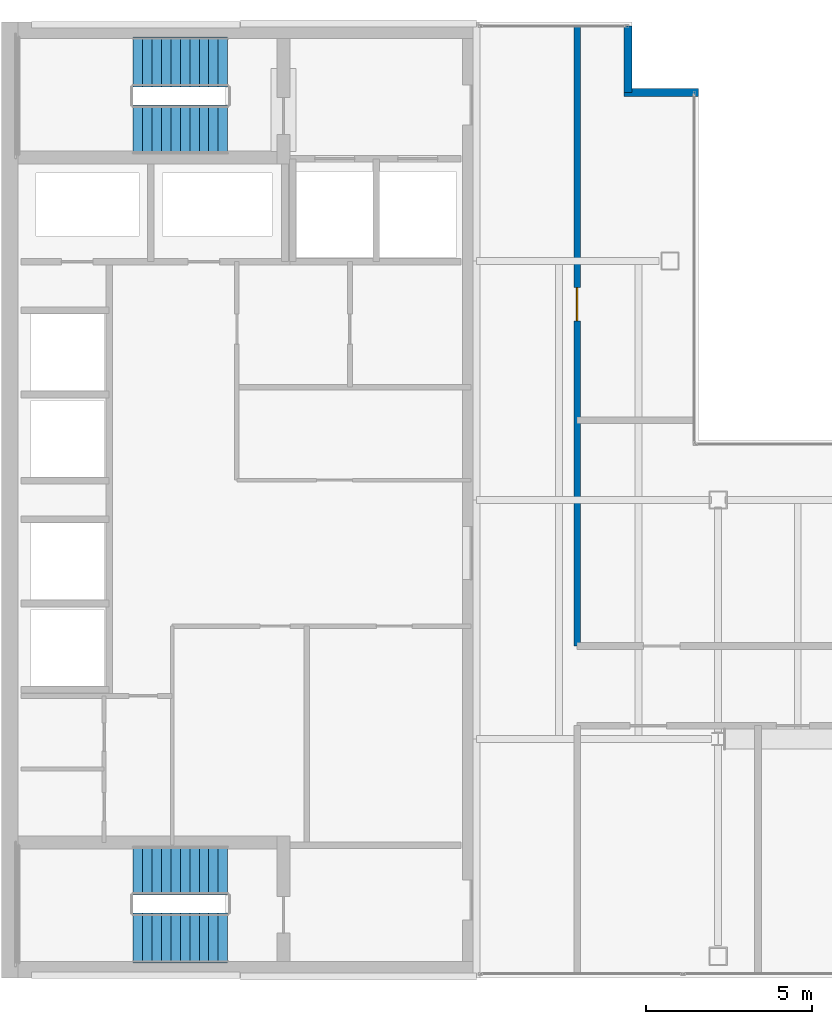
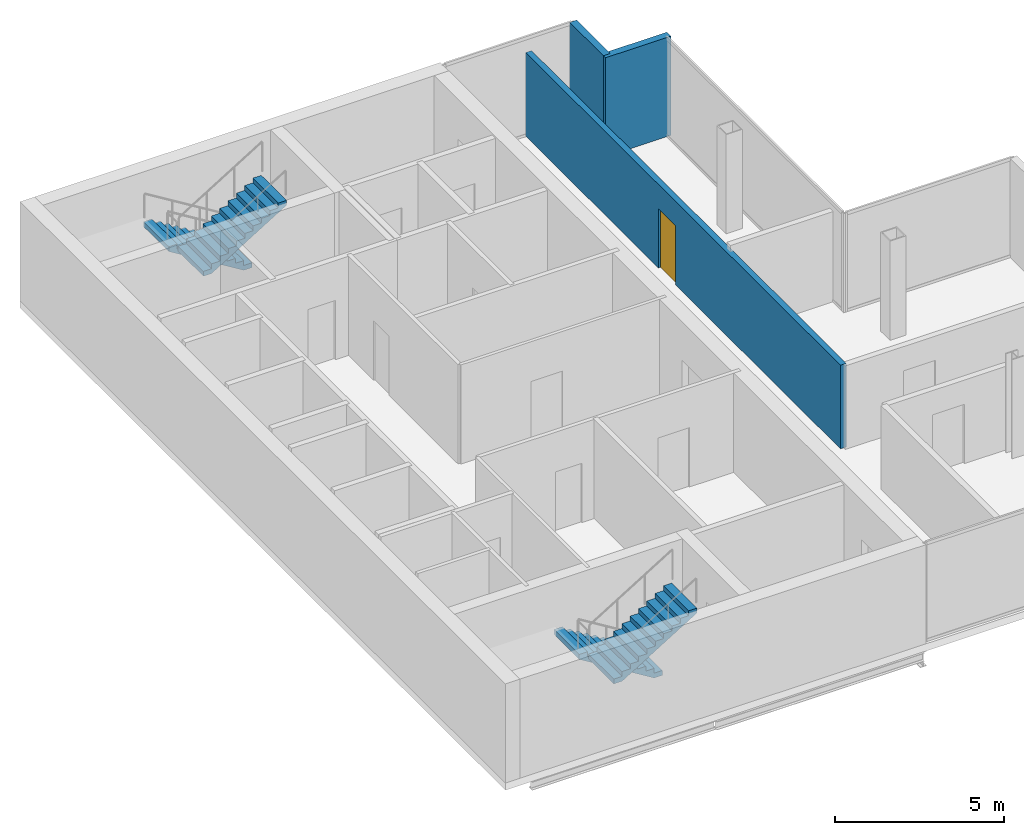
# One storey, part 15 of 16: 4 stair flights, 3 walls, 1 door, 1 opening, 2 elements without a shape of their own.
"""IFC4 building model written with IfcOpenShell, lengths in metres."""

from ifc_helpers import new_model, si_unit, direction, frame, frame_2d, origin, place, context, subcontext, project, spatial, polyline, rectangle, outline, extrude, material, layer, layer_set, type_object, element, fill, aggregate, save


model = new_model("IFC4")

# Units and contexts
model_context = context("Model", 3, precision=1e-05, world=origin(), true_north=direction((0.0, 1.0)))
body_context = subcontext(model_context, "Body", "Model", "MODEL_VIEW")
ifc_project = project(units=[si_unit("LENGTHUNIT", "METRE"), si_unit("AREAUNIT", "SQUARE_METRE"), si_unit("VOLUMEUNIT", "CUBIC_METRE"), si_unit("PLANEANGLEUNIT", "RADIAN"), si_unit("MASSUNIT", "GRAM", prefix="KILO")], contexts=[model_context])

# Site, building, storey
site_placement = place(None, origin())
site = spatial("IfcSite", under=ifc_project, at=site_placement, CompositionType="ELEMENT")
building_placement = place(site_placement, origin())
building = spatial("IfcBuilding", under=site, at=building_placement, Name="Cobrela Telecom Tower", CompositionType="ELEMENT")
storey_placement = place(building_placement, frame((0.0, 0.0, 293.64990234375)))
storey = spatial("IfcBuildingStorey", under=building, at=storey_placement, Name="L77", CompositionType="ELEMENT", Elevation=293.64990234375)

# Walls
ifc_material_1 = material(Name="Concrete C40/50", Category="concrete")
ifc_layer_1 = layer(ifc_material_1, 0.239990234375)
ifc_layer_set_1 = layer_set([ifc_layer_1], Name="Concrete C40/50")
wall_type_1 = type_object("IfcWallType", Name="WALL-EXT-300", PredefinedType="STANDARD", material=ifc_layer_set_1)
wall_1_placement = place(storey_placement, frame((18.8798828125, 35.8798828125, 0.0), z_axis=(0.0, 0.0, 1.0), x_axis=(0.0, -1.0, 0.0)))
element("IfcWall", 1, at=wall_1_placement, inside=storey, type_object=wall_type_1, Name="L77 Insulated Facade Wall 02", PredefinedType="STANDARD", context=body_context, shape_type="SweptSolid", body=[
    extrude(rectangle(XDim=2.0, YDim=0.239990234375, at=frame_2d((1.0, 0.0))), origin(), (0.0, 0.0, 1.0), 3.590087890625),
])
wall_2_placement = place(storey_placement, frame((18.760009765625, 33.8798828125, 0.0), z_axis=(0.0, 0.0, 1.0), x_axis=(1.0, 0.0, 0.0)))
element("IfcWall", 2, at=wall_2_placement, inside=storey, type_object=wall_type_1, Name="L77 Insulated Facade Wall 03", PredefinedType="STANDARD", context=body_context, shape_type="SweptSolid", body=[
    extrude(rectangle(XDim=2.239990234375, YDim=0.239990234375, at=frame_2d((1.1201171875, 0.0))), origin(), (0.0, 0.0, 1.0), 3.590087890625),
])

# Wall, opening, door
ifc_material_2 = material(Name="Fire-Rated Gypsum Plasterboard")
ifc_layer_2 = layer(ifc_material_2, 0.199951171875)
ifc_layer_set_2 = layer_set([ifc_layer_2], Name="Fire-Rated Gypsum Plasterboard")
wall_type_2 = type_object("IfcWallType", Name="WALL-SHAFT-200", PredefinedType="PARTITIONING", material=ifc_layer_set_2)
wall_3_placement = place(storey_placement, frame((17.35009765625, 17.199951171875, 0.0), z_axis=(0.0, 0.0, 1.0), x_axis=(0.0, 1.0, 0.0)))
wall_3 = element("IfcWall", 3, at=wall_3_placement, inside=storey, type_object=wall_type_2, Name="L77 Shaft Enclosure W-DR-E2", PredefinedType="PARTITIONING", context=body_context, shape_type="SweptSolid", body=[
    extrude(rectangle(XDim=18.679931640625, YDim=0.199951171875, at=frame_2d((9.33984375, 0.0))), origin(), (0.0, 0.0, 1.0), 3.026123046875),
])
opening_placement = place(wall_3_placement, frame((9.800048828125, 0.0, 0.0)))
opening = element("IfcOpeningElement", 4, at=opening_placement, cuts=wall_3, Name="Opening DR-15", PredefinedType="OPENING", context=body_context, shape_type="SweptSolid", body=[
    extrude(rectangle(XDim=1.0, YDim=2.14990234375, at=frame_2d((0.5, 1.074951171875))), frame((0.0, 0.11181640625, 0.0), z_axis=(0.0, -1.0, 0.0), x_axis=(1.0, 0.0, 0.0)), (0.0, 0.0, 1.0), 0.223876953125),
])
ifc_material_3 = material(Name="Steel ASTM A36", Category="steel")
door_type = type_object("IfcDoorType", Name="DOOR-FD60-1000", OperationType="SINGLE_SWING_LEFT", PredefinedType="DOOR", material=ifc_material_3)
door_placement = place(opening_placement, origin())
door = element("IfcDoor", 5, at=door_placement, inside=storey, type_object=door_type, Name="L77 Door DR-15", OperationType="SINGLE_SWING_RIGHT", OverallHeight=2.14990234375, OverallWidth=1.0, PredefinedType="DOOR", context=body_context, shape_type="SweptSolid", body=[
    extrude(rectangle(XDim=1.0, YDim=2.14990234375, at=frame_2d((0.5, 1.074951171875))), frame((0.0, 0.02490234375, 0.0), z_axis=(0.0, -1.0, 0.0), x_axis=(1.0, 0.0, 0.0)), (0.0, 0.0, 1.0), 0.050048828125),
])
fill(opening, door)

# Stair, stair flights
stair_type = type_object("IfcStairType", Name="STAIR-CORE", PredefinedType="HALF_TURN_STAIR", material=ifc_material_1)
stair_1_placement = place(storey_placement, origin())
stair_1 = element("IfcStair", 6, at=stair_1_placement, inside=storey, type_object=stair_type, Name="L77 Smokeproof Exit Stair ST1", PredefinedType="HALF_TURN_STAIR")
stair_flight_type = type_object("IfcStairFlightType", Name="FLIGHT-CORE", PredefinedType="STRAIGHT", material=ifc_material_1)
stair_flight_1_placement = place(storey_placement, frame((6.820068359375, 34.800048828125, 0.0), z_axis=(0.0, 0.0, 1.0), x_axis=(-1.0, 0.0, 0.0)))
stair_flight_1 = element("IfcStairFlight", 7, at=stair_flight_1_placement, type_object=stair_flight_type, Name="ST1 flight 1", NumberOfRisers=11, NumberOfTreads=10, PredefinedType="STRAIGHT", RiserHeight=0.175, TreadLength=0.285, context=body_context, shape_type="SweptSolid", body=[
    extrude(outline(polyline([(0.0, 0.0), (0.0, 0.175048828125), (0.284912109375, 0.175048828125), (0.284912109375, 0.35009765625), (0.570068359375, 0.35009765625), (0.570068359375, 0.52490234375), (0.85498046875, 0.52490234375), (0.85498046875, 0.699951171875), (1.139892578125, 0.699951171875), (1.139892578125, 0.875), (1.425048828125, 0.875), (1.425048828125, 1.050048828125), (1.7099609375, 1.050048828125), (1.7099609375, 1.22509765625), (1.9951171875, 1.22509765625), (1.9951171875, 1.39990234375), (2.280029296875, 1.39990234375), (2.280029296875, 1.574951171875), (2.56494140625, 1.574951171875), (2.56494140625, 1.75), (2.85009765625, 1.75), (2.85009765625, 1.925048828125), (2.85009765625, 1.573974609375), (0.286376953125, 0.0), (0.0, 0.0)])), frame((0.0, 0.75, 0.0), z_axis=(0.0, -1.0, 0.0), x_axis=(1.0, 0.0, 0.0)), (0.0, 0.0, 1.0), 1.5),
])
stair_flight_2_placement = place(storey_placement, frame((3.969970703125, 32.75, 1.925048828125), z_axis=(0.0, 0.0, 1.0), x_axis=(1.0, 0.0, 0.0)))
stair_flight_2 = element("IfcStairFlight", 8, at=stair_flight_2_placement, type_object=stair_flight_type, Name="ST1 flight 2", NumberOfRisers=11, NumberOfTreads=10, PredefinedType="STRAIGHT", RiserHeight=0.175, TreadLength=0.285, context=body_context, shape_type="SweptSolid", body=[
    extrude(outline(polyline([(0.0, 0.0), (0.0, 0.175048828125), (0.284912109375, 0.175048828125), (0.284912109375, 0.35009765625), (0.570068359375, 0.35009765625), (0.570068359375, 0.52490234375), (0.85498046875, 0.52490234375), (0.85498046875, 0.699951171875), (1.139892578125, 0.699951171875), (1.139892578125, 0.875), (1.425048828125, 0.875), (1.425048828125, 1.050048828125), (1.7099609375, 1.050048828125), (1.7099609375, 1.22509765625), (1.9951171875, 1.22509765625), (1.9951171875, 1.39990234375), (2.280029296875, 1.39990234375), (2.280029296875, 1.574951171875), (2.56494140625, 1.574951171875), (2.56494140625, 1.75), (2.85009765625, 1.75), (2.85009765625, 1.925048828125), (2.85009765625, 1.573974609375), (0.286376953125, 0.0), (0.0, 0.0)])), frame((0.0, 0.75, 0.0), z_axis=(0.0, -1.0, 0.0), x_axis=(1.0, 0.0, 0.0)), (0.0, 0.0, 1.0), 1.5),
])
aggregate(stair_1, [stair_flight_1, stair_flight_2])

stair_2_placement = place(storey_placement, origin())
stair_2 = element("IfcStair", 9, at=stair_2_placement, inside=storey, type_object=stair_type, Name="L77 Smokeproof Exit Stair ST2", PredefinedType="HALF_TURN_STAIR")
stair_flight_3_placement = place(storey_placement, frame((6.820068359375, 10.449951171875, 0.0), z_axis=(0.0, 0.0, 1.0), x_axis=(-1.0, 0.0, 0.0)))
stair_flight_3 = element("IfcStairFlight", 10, at=stair_flight_3_placement, type_object=stair_flight_type, Name="ST2 flight 1", NumberOfRisers=11, NumberOfTreads=10, PredefinedType="STRAIGHT", RiserHeight=0.175, TreadLength=0.285, context=body_context, shape_type="SweptSolid", body=[
    extrude(outline(polyline([(0.0, 0.0), (0.0, 0.175048828125), (0.284912109375, 0.175048828125), (0.284912109375, 0.35009765625), (0.570068359375, 0.35009765625), (0.570068359375, 0.52490234375), (0.85498046875, 0.52490234375), (0.85498046875, 0.699951171875), (1.139892578125, 0.699951171875), (1.139892578125, 0.875), (1.425048828125, 0.875), (1.425048828125, 1.050048828125), (1.7099609375, 1.050048828125), (1.7099609375, 1.22509765625), (1.9951171875, 1.22509765625), (1.9951171875, 1.39990234375), (2.280029296875, 1.39990234375), (2.280029296875, 1.574951171875), (2.56494140625, 1.574951171875), (2.56494140625, 1.75), (2.85009765625, 1.75), (2.85009765625, 1.925048828125), (2.85009765625, 1.573974609375), (0.286376953125, 0.0), (0.0, 0.0)])), frame((0.0, 0.75, 0.0), z_axis=(0.0, -1.0, 0.0), x_axis=(1.0, 0.0, 0.0)), (0.0, 0.0, 1.0), 1.5),
])
stair_flight_4_placement = place(storey_placement, frame((3.969970703125, 8.39990234375, 1.925048828125), z_axis=(0.0, 0.0, 1.0), x_axis=(1.0, 0.0, 0.0)))
stair_flight_4 = element("IfcStairFlight", 11, at=stair_flight_4_placement, type_object=stair_flight_type, Name="ST2 flight 2", NumberOfRisers=11, NumberOfTreads=10, PredefinedType="STRAIGHT", RiserHeight=0.175, TreadLength=0.285, context=body_context, shape_type="SweptSolid", body=[
    extrude(outline(polyline([(0.0, 0.0), (0.0, 0.175048828125), (0.284912109375, 0.175048828125), (0.284912109375, 0.35009765625), (0.570068359375, 0.35009765625), (0.570068359375, 0.52490234375), (0.85498046875, 0.52490234375), (0.85498046875, 0.699951171875), (1.139892578125, 0.699951171875), (1.139892578125, 0.875), (1.425048828125, 0.875), (1.425048828125, 1.050048828125), (1.7099609375, 1.050048828125), (1.7099609375, 1.22509765625), (1.9951171875, 1.22509765625), (1.9951171875, 1.39990234375), (2.280029296875, 1.39990234375), (2.280029296875, 1.574951171875), (2.56494140625, 1.574951171875), (2.56494140625, 1.75), (2.85009765625, 1.75), (2.85009765625, 1.925048828125), (2.85009765625, 1.573974609375), (0.286376953125, 0.0), (0.0, 0.0)])), frame((0.0, 0.75, 0.0), z_axis=(0.0, -1.0, 0.0), x_axis=(1.0, 0.0, 0.0)), (0.0, 0.0, 1.0), 1.5),
])
aggregate(stair_2, [stair_flight_3, stair_flight_4])

save(model, "model.ifc")
